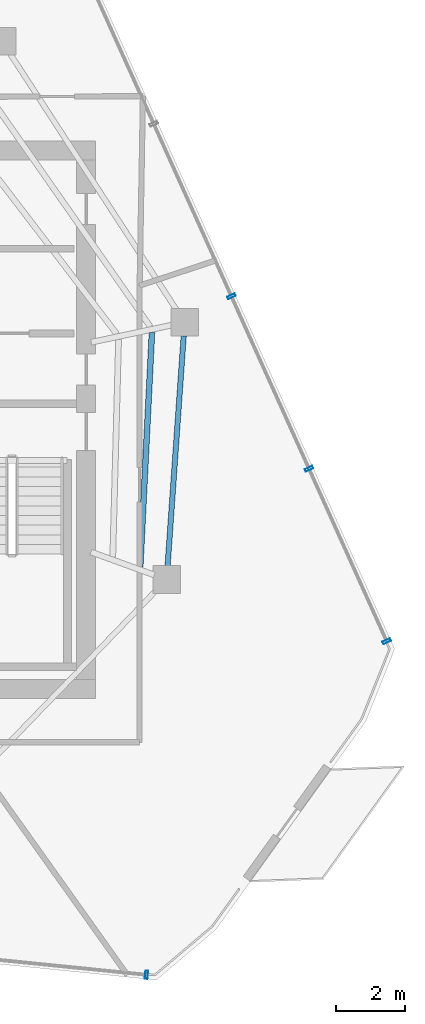
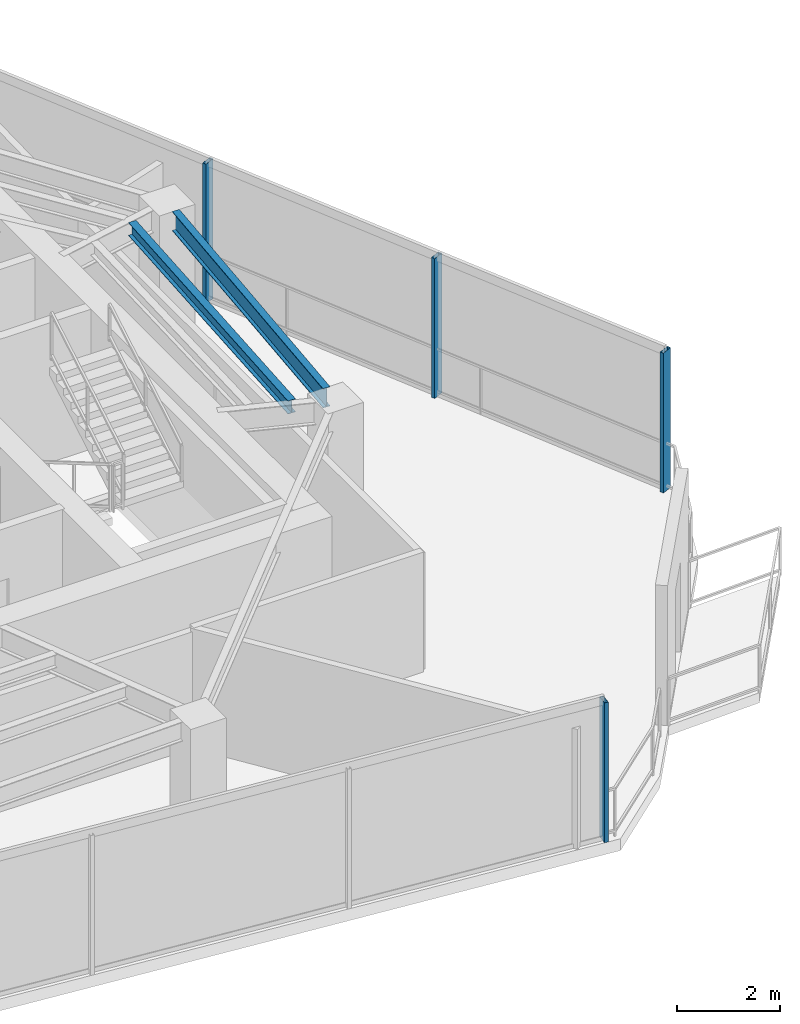
# One storey, part 11 of 18: 4 members, 2 beams, 2 elements without a shape of their own.
"""IFC4 building model written with IfcOpenShell, lengths in metres."""

from ifc_helpers import new_model, si_unit, direction, frame, origin, origin_2d, place, context, subcontext, project, spatial, hollow_rectangle, i_section, extrude, material, layer, layer_set, material_profile, profile_set, type_object, element, aggregate, save


model = new_model("IFC4")

# Units and contexts
model_context = context("Model", 3, precision=1e-05, world=origin(), true_north=direction((0.0, 1.0)))
body_context = subcontext(model_context, "Body", "Model", "MODEL_VIEW")
ifc_project = project(units=[si_unit("LENGTHUNIT", "METRE"), si_unit("AREAUNIT", "SQUARE_METRE"), si_unit("VOLUMEUNIT", "CUBIC_METRE"), si_unit("PLANEANGLEUNIT", "RADIAN"), si_unit("MASSUNIT", "GRAM", prefix="KILO")], contexts=[model_context])

# Site, building, storey
site_placement = place(None, origin())
site = spatial("IfcSite", under=ifc_project, at=site_placement, CompositionType="ELEMENT")
building_placement = place(site_placement, origin())
building = spatial("IfcBuilding", under=site, at=building_placement, Name="Qarnah Convention Tower", CompositionType="ELEMENT")
storey_placement = place(building_placement, frame((0.0, 0.0, 271.5)))
storey = spatial("IfcBuildingStorey", under=building, at=storey_placement, Name="L73", CompositionType="ELEMENT", Elevation=271.5)

# Beams
ifc_material_1 = material(Name="Structural steel S355JR", Category="steel")
ifc_material_profile_1 = material_profile(ifc_material_1, i_section(OverallWidth=0.166015625, OverallDepth=0.31201171875, WebThickness=0.007080078125, FlangeThickness=0.010986328125, at=origin_2d()), Name="W310X45")
ifc_profile_set_1 = profile_set([ifc_material_profile_1], Name="Structural steel S355JR")
beam_type_1 = type_object("IfcBeamType", Name="BM-JST-W310", PredefinedType="JOIST", material=ifc_profile_set_1)
beam_1_placement = place(storey_placement, frame((49.16796875, 22.135986328125, 3.1640625), z_axis=(0.049873147584, 0.99875556026, 0.0), x_axis=(-0.99875556026, 0.049873147584, 0.0)))
element("IfcBeam", 1, at=beam_1_placement, inside=storey, type_object=beam_type_1, Name="L73 joist BM-L73-SJST-09", PredefinedType="JOIST", context=body_context, shape_type="SweptSolid", body=[
    extrude(i_section(OverallWidth=0.166015625, OverallDepth=0.31201171875, WebThickness=0.007080078125, FlangeThickness=0.010986328125, at=origin_2d()), origin(), (0.0, 0.0, 1.0), 6.799560546875),
])
ifc_material_profile_2 = material_profile(ifc_material_1, i_section(OverallWidth=0.154052734375, OverallDepth=0.4599609375, WebThickness=0.009033203125, FlangeThickness=0.014892578125, at=origin_2d()), Name="W460X68")
ifc_profile_set_2 = profile_set([ifc_material_profile_2], Name="Structural steel S355JR")
beam_type_2 = type_object("IfcBeamType", Name="BM-SPN-W460B", PredefinedType="SPANDREL", material=ifc_profile_set_2)
beam_2_placement = place(storey_placement, frame((49.9599609375, 22.155029296875, 3.090087890625), z_axis=(0.069820410922, 0.997559577278, 0.0), x_axis=(-0.997559577278, 0.069820410922, 0.0)))
element("IfcBeam", 2, at=beam_2_placement, inside=storey, type_object=beam_type_2, Name="L73 spandrel BM-L73-SPN-09", PredefinedType="SPANDREL", context=body_context, shape_type="SweptSolid", body=[
    extrude(i_section(OverallWidth=0.154052734375, OverallDepth=0.4599609375, WebThickness=0.009033203125, FlangeThickness=0.014892578125, at=origin_2d()), origin(), (0.0, 0.0, 1.0), 6.689208984375),
])

# Curtain wall, members
ifc_material_2 = material(Name="Tempered Low-E dark glass", Category="glass")
ifc_layer = layer(ifc_material_2, 0.176025390625)
ifc_layer_set = layer_set([ifc_layer], Name="Tempered Low-E dark glass")
curtain_wall_type = type_object("IfcCurtainWallType", Name="CWS-05", PredefinedType="NOTDEFINED", material=ifc_layer_set)
curtain_wall_1_placement = place(storey_placement, origin())
curtain_wall_1 = element("IfcCurtainWall", 3, at=curtain_wall_1_placement, inside=storey, type_object=curtain_wall_type, Name="L73 unitised curtain wall CW-L73-F2", PredefinedType="NOTDEFINED")
ifc_material_3 = material(Name="Black anodised aluminium", Category="aluminium")
ifc_material_profile_3 = material_profile(ifc_material_3, hollow_rectangle(XDim=0.080078125, YDim=0.239990234375, WallThickness=0.0048828125, at=origin_2d()), Name="MUL-80X240")
ifc_profile_set_3 = profile_set([ifc_material_profile_3], Name="Black anodised aluminium")
member_type = type_object("IfcMemberType", Name="MUL-T5", PredefinedType="MULLION", material=ifc_profile_set_3)
member_1_placement = place(storey_placement, frame((51.81005859375, 29.97265625, 0.0), z_axis=(0.0, 0.0, 1.0), x_axis=(0.410514882218, -0.911853898099, 0.0)))
member_1 = element("IfcMember", 4, at=member_1_placement, type_object=member_type, Name="CW-L73-F2 mullion 4", PredefinedType="MULLION", context=body_context, shape_type="SweptSolid", body=[
    extrude(hollow_rectangle(XDim=0.080078125, YDim=0.239990234375, WallThickness=0.0048828125, at=origin_2d()), origin(), (0.0, 0.0, 1.0), 3.320068359375),
])
member_2_placement = place(storey_placement, frame((54.06005859375, 24.974853515625, 0.0), z_axis=(0.0, 0.0, 1.0), x_axis=(0.410514882218, -0.911853898099, 0.0)))
member_2 = element("IfcMember", 5, at=member_2_placement, type_object=member_type, Name="CW-L73-F2 mullion 5", PredefinedType="MULLION", context=body_context, shape_type="SweptSolid", body=[
    extrude(hollow_rectangle(XDim=0.080078125, YDim=0.239990234375, WallThickness=0.0048828125, at=origin_2d()), origin(), (0.0, 0.0, 1.0), 3.320068359375),
])
member_3_placement = place(storey_placement, frame((56.31005859375, 19.97705078125, 0.0), z_axis=(0.0, 0.0, 1.0), x_axis=(0.410514882218, -0.911853898099, 0.0)))
member_3 = element("IfcMember", 6, at=member_3_placement, type_object=member_type, Name="CW-L73-F2 mullion 6", PredefinedType="MULLION", context=body_context, shape_type="SweptSolid", body=[
    extrude(hollow_rectangle(XDim=0.080078125, YDim=0.239990234375, WallThickness=0.0048828125, at=origin_2d()), origin(), (0.0, 0.0, 1.0), 3.320068359375),
])
aggregate(curtain_wall_1, [member_1, member_2, member_3])

# Curtain wall, member
curtain_wall_2_placement = place(storey_placement, origin())
curtain_wall_2 = element("IfcCurtainWall", 7, at=curtain_wall_2_placement, inside=storey, type_object=curtain_wall_type, Name="L73 unitised curtain wall CW-L73-F3", PredefinedType="NOTDEFINED")
member_4_placement = place(storey_placement, frame((49.34912109375, 10.31103515625, 0.0), z_axis=(0.0, 0.0, 1.0), x_axis=(-0.994952288594, 0.100349107729, 0.0)))
member_4 = element("IfcMember", 8, at=member_4_placement, type_object=member_type, Name="CW-L73-F3 mullion 1", PredefinedType="MULLION", context=body_context, shape_type="SweptSolid", body=[
    extrude(hollow_rectangle(XDim=0.080078125, YDim=0.239990234375, WallThickness=0.0048828125, at=origin_2d()), origin(), (0.0, 0.0, 1.0), 3.320068359375),
])
aggregate(curtain_wall_2, [member_4])

save(model, "model.ifc")
